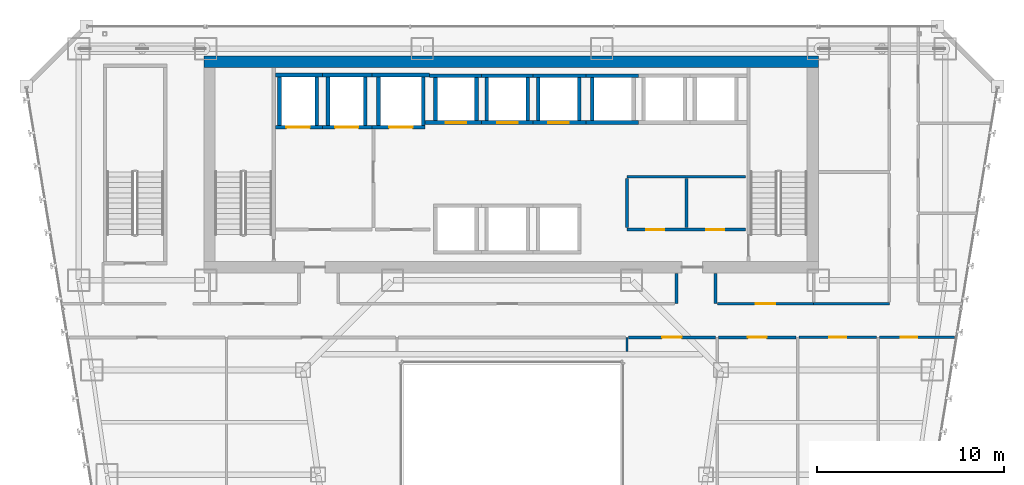
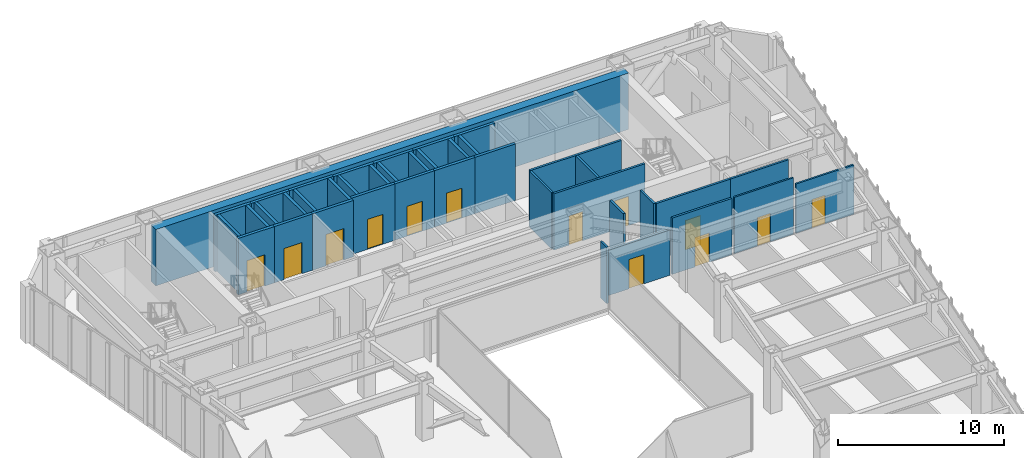
# One storey, part 37 of 47: 41 walls, 13 doors, 13 openings.
"""IFC4 building model written with IfcOpenShell, lengths in metres."""

from ifc_helpers import new_model, si_unit, direction, frame, frame_2d, origin, place, context, subcontext, project, spatial, rectangle, extrude, material, layer, layer_set, type_object, element, fill, save


model = new_model("IFC4")

# Units and contexts
model_context = context("Model", 3, precision=1e-05, world=origin(), true_north=direction((0.0, 1.0)))
body_context = subcontext(model_context, "Body", "Model", "MODEL_VIEW")
ifc_project = project(units=[si_unit("LENGTHUNIT", "METRE"), si_unit("AREAUNIT", "SQUARE_METRE"), si_unit("VOLUMEUNIT", "CUBIC_METRE"), si_unit("PLANEANGLEUNIT", "RADIAN"), si_unit("MASSUNIT", "GRAM", prefix="KILO")], contexts=[model_context])

# Site, building, storey
site_placement = place(None, origin())
site = spatial("IfcSite", under=ifc_project, at=site_placement, CompositionType="ELEMENT")
building_placement = place(site_placement, origin())
building = spatial("IfcBuilding", under=site, at=building_placement, Name="Saevonmaru Cultural Tower", CompositionType="ELEMENT")
storey_placement = place(building_placement, frame((0.0, 0.0, 64.800048828125)))
storey = spatial("IfcBuildingStorey", under=building, at=storey_placement, Name="L13", CompositionType="ELEMENT", Elevation=64.800048828125)

# Wall
ifc_material_1 = material(Name="Concrete C60/75", Category="concrete")
ifc_layer_1 = layer(ifc_material_1, 0.60009765625, Name="Concrete C60/75")
ifc_layer_set_1 = layer_set([ifc_layer_1], Name="Concrete C60/75")
wall_type_1 = type_object("IfcWallType", Name="WL-CORE-600", PredefinedType="SHEAR", material=ifc_layer_set_1)
wall_1_placement = place(storey_placement, frame((13.5, 54.10009765625, 0.0), z_axis=(0.0, 0.0, 1.0), x_axis=(1.0, 0.0, 0.0)))
element("IfcWall", 1, at=wall_1_placement, inside=storey, type_object=wall_type_1, Name="L13 Tower RC core shear wall N", PredefinedType="SHEAR", context=body_context, shape_type="SweptSolid", body=[
    extrude(rectangle(XDim=32.89990234375, YDim=0.60009765625, at=frame_2d((16.449951171875, 0.0))), origin(), (0.0, 0.0, 1.0), 4.14990234375),
])

# Wall, openings, doors
ifc_material_2 = material(Name="Gypsum Fireboard Partition", Category="gypsum")
ifc_layer_2 = layer(ifc_material_2, 0.14990234375, Name="Gypsum Fireboard Partition")
ifc_layer_set_2 = layer_set([ifc_layer_2], Name="Gypsum Fireboard Partition")
wall_type_2 = type_object("IfcWallType", Name="WL-CORE-PART-150", PredefinedType="PARTITIONING", material=ifc_layer_set_2)
wall_2_placement = place(storey_placement, frame((36.14990234375, 45.1201171875, 0.0), z_axis=(0.0, 0.0, 1.0), x_axis=(1.0, 0.0, 0.0)))
wall_2 = element("IfcWall", 2, at=wall_2_placement, inside=storey, type_object=wall_type_2, Name="L13 Core Cluster South Wall", PredefinedType="PARTITIONING", context=body_context, shape_type="SweptSolid", body=[
    extrude(rectangle(XDim=6.35009765625, YDim=0.14990234375, at=frame_2d((3.175048828125, 0.0))), origin(), (0.0, 0.0, 1.0), 4.14990234375),
])
opening_1_placement = place(wall_2_placement, frame((1.050048828125, 0.0, 0.0)))
opening_1 = element("IfcOpeningElement", 3, at=opening_1_placement, cuts=wall_2, Name="Opening FD-4", PredefinedType="OPENING", context=body_context, shape_type="SweptSolid", body=[
    extrude(rectangle(XDim=0.949951171875, YDim=2.14990234375, at=frame_2d((0.47509765625, 1.074951171875))), frame((0.0, 0.0849609375, 0.0), z_axis=(0.0, -1.0, 0.0), x_axis=(1.0, 0.0, 0.0)), (0.0, 0.0, 1.0), 0.169921875),
])
opening_2_placement = place(wall_2_placement, frame((4.25, 0.0, 0.0)))
opening_2 = element("IfcOpeningElement", 4, at=opening_2_placement, cuts=wall_2, Name="Opening FD-4", PredefinedType="OPENING", context=body_context, shape_type="SweptSolid", body=[
    extrude(rectangle(XDim=0.949951171875, YDim=2.14990234375, at=frame_2d((0.47509765625, 1.074951171875))), frame((0.0, 0.0849609375, 0.0), z_axis=(0.0, -1.0, 0.0), x_axis=(1.0, 0.0, 0.0)), (0.0, 0.0, 1.0), 0.169921875),
])
ifc_material_3 = material(Name="Satin Bronze Anodised Aluminium", Category="aluminium")
door_type_1 = type_object("IfcDoorType", Name="DR-FD60-950", OperationType="SINGLE_SWING_LEFT", PredefinedType="DOOR", material=ifc_material_3)
door_1_placement = place(opening_1_placement, origin())
door_1 = element("IfcDoor", 5, at=door_1_placement, inside=storey, type_object=door_type_1, Name="L13 BMS Control Room Door", OperationType="SINGLE_SWING_LEFT", OverallHeight=2.14990234375, OverallWidth=0.949951171875, PredefinedType="DOOR", context=body_context, shape_type="SweptSolid", body=[
    extrude(rectangle(XDim=0.949951171875, YDim=2.14990234375, at=frame_2d((0.47509765625, 1.074951171875))), frame((0.0, 0.02490234375, 0.0), z_axis=(0.0, -1.0, 0.0), x_axis=(1.0, 0.0, 0.0)), (0.0, 0.0, 1.0), 0.050048828125),
])
fill(opening_1, door_1)
door_2_placement = place(opening_2_placement, origin())
door_2 = element("IfcDoor", 6, at=door_2_placement, inside=storey, type_object=door_type_1, Name="L13 Fibre Node Plant Door", OperationType="SINGLE_SWING_LEFT", OverallHeight=2.14990234375, OverallWidth=0.949951171875, PredefinedType="DOOR", context=body_context, shape_type="SweptSolid", body=[
    extrude(rectangle(XDim=0.949951171875, YDim=2.14990234375, at=frame_2d((0.47509765625, 1.074951171875))), frame((0.0, 0.02490234375, 0.0), z_axis=(0.0, -1.0, 0.0), x_axis=(1.0, 0.0, 0.0)), (0.0, 0.0, 1.0), 0.050048828125),
])
fill(opening_2, door_2)

# Walls
wall_3_placement = place(storey_placement, frame((36.14990234375, 47.949951171875, 0.0), z_axis=(0.0, 0.0, 1.0), x_axis=(1.0, 0.0, 0.0)))
element("IfcWall", 7, at=wall_3_placement, inside=storey, type_object=wall_type_2, Name="L13 Core Cluster North Wall", PredefinedType="PARTITIONING", context=body_context, shape_type="SweptSolid", body=[
    extrude(rectangle(XDim=6.35009765625, YDim=0.14990234375, at=frame_2d((3.175048828125, 0.0))), origin(), (0.0, 0.0, 1.0), 4.14990234375),
])
for number, where, z_axis, x_axis, name in (
    (8, (36.14990234375, 45.219970703125, 0.0), (0.0, 0.0, 1.0), (0.0, 1.0, 0.0), "L13 Core Cluster West Wall"),
    (9, (39.35009765625, 45.219970703125, 0.0), (0.0, 0.0, 1.0), (0.0, 1.0, 0.0), "L13 Core Cluster Inner Split"),
):
    element("IfcWall", number, at=place(storey_placement, frame(where, z_axis=z_axis, x_axis=x_axis)), inside=storey, type_object=wall_type_2, Name=name, PredefinedType="PARTITIONING", context=body_context, shape_type="SweptSolid", body=[
        extrude(rectangle(XDim=2.630126953125, YDim=0.14990234375, at=frame_2d((1.31494140625, 0.0))), origin(), (0.0, 0.0, 1.0), 4.14990234375),
    ])
ifc_layer_3 = layer(ifc_material_2, 0.14990234375, Name="Gypsum Fireboard Partition")
ifc_layer_set_3 = layer_set([ifc_layer_3], Name="Gypsum Fireboard Partition")
wall_type_3 = type_object("IfcWallType", Name="WL-PART-FIRE-150", PredefinedType="PARTITIONING", material=ifc_layer_set_3)
for number, where, z_axis, x_axis, name in (
    (10, (38.800048828125, 41.14990234375, 0.0), (0.0, 0.0, 1.0), (0.0, 1.0, 0.0), "L13 Core Portal Side Wall E1"),
    (11, (40.89990234375, 41.14990234375, 0.0), (0.0, 0.0, 1.0), (0.0, 1.0, 0.0), "L13 Core Portal Side Wall E2"),
):
    element("IfcWall", number, at=place(storey_placement, frame(where, z_axis=z_axis, x_axis=x_axis)), inside=storey, type_object=wall_type_3, Name=name, PredefinedType="PARTITIONING", context=body_context, shape_type="SweptSolid", body=[
        extrude(rectangle(XDim=1.630126953125, YDim=0.14990234375, at=frame_2d((0.81494140625, 0.0))), origin(), (0.0, 0.0, 1.0), 4.14990234375),
    ])

# Wall, opening, door
wall_4_placement = place(storey_placement, frame((40.9951171875, 41.14990234375, 0.0), z_axis=(0.0, 0.0, 1.0), x_axis=(1.0, 0.0, 0.0)))
wall_4 = element("IfcWall", 12, at=wall_4_placement, inside=storey, type_object=wall_type_3, Name="L13 Kinetic Art Exhibition Gallery Corridor Wall", PredefinedType="PARTITIONING", context=body_context, shape_type="SweptSolid", body=[
    extrude(rectangle(XDim=5.15478515625, YDim=0.14990234375, at=frame_2d((2.577392578125, 0.0))), origin(), (0.0, 0.0, 1.0), 4.14990234375),
])
opening_3_placement = place(wall_4_placement, frame((2.052978515625, 0.0, 0.0)))
opening_3 = element("IfcOpeningElement", 13, at=opening_3_placement, cuts=wall_4, Name="Opening ID-1", PredefinedType="OPENING", context=body_context, shape_type="SweptSolid", body=[
    extrude(rectangle(XDim=1.050048828125, YDim=2.14990234375, at=frame_2d((0.52490234375, 1.074951171875))), frame((0.0, 0.0849609375, 0.0), z_axis=(0.0, -1.0, 0.0), x_axis=(1.0, 0.0, 0.0)), (0.0, 0.0, 1.0), 0.169921875),
])
door_type_2 = type_object("IfcDoorType", Name="DR-INT-1050", OperationType="SINGLE_SWING_LEFT", PredefinedType="DOOR", material=ifc_material_3)
door_3_placement = place(opening_3_placement, origin())
door_3 = element("IfcDoor", 14, at=door_3_placement, inside=storey, type_object=door_type_2, Name="L13 Kinetic Art Exhibition Gallery Door", OperationType="SINGLE_SWING_LEFT", OverallHeight=2.14990234375, OverallWidth=1.050048828125, PredefinedType="DOOR", context=body_context, shape_type="SweptSolid", body=[
    extrude(rectangle(XDim=1.050048828125, YDim=2.14990234375, at=frame_2d((0.52490234375, 1.074951171875))), frame((0.0, 0.02490234375, 0.0), z_axis=(0.0, -1.0, 0.0), x_axis=(1.0, 0.0, 0.0)), (0.0, 0.0, 1.0), 0.050048828125),
])
fill(opening_3, door_3)

wall_5_placement = place(storey_placement, frame((36.22998046875, 39.35009765625, 0.0), z_axis=(0.0, 0.0, 1.0), x_axis=(1.0, 0.0, 0.0)))
wall_5 = element("IfcWall", 15, at=wall_5_placement, inside=storey, type_object=wall_type_3, Name="L13 Kinetic Art Exhibition Gallery Corridor Wall", PredefinedType="PARTITIONING", context=body_context, shape_type="SweptSolid", body=[
    extrude(rectangle(XDim=4.66259765625, YDim=0.14990234375, at=frame_2d((2.331298828125, 0.0))), origin(), (0.0, 0.0, 1.0), 3.3349609375),
])
opening_4_placement = place(wall_5_placement, frame((1.805908203125, 0.0, 0.0)))
opening_4 = element("IfcOpeningElement", 16, at=opening_4_placement, cuts=wall_5, Name="Opening ID-1", PredefinedType="OPENING", context=body_context, shape_type="SweptSolid", body=[
    extrude(rectangle(XDim=1.050048828125, YDim=2.14990234375, at=frame_2d((0.52490234375, 1.074951171875))), frame((0.0, 0.0849609375, 0.0), z_axis=(0.0, -1.0, 0.0), x_axis=(1.0, 0.0, 0.0)), (0.0, 0.0, 1.0), 0.169921875),
])
door_4_placement = place(opening_4_placement, origin())
door_4 = element("IfcDoor", 17, at=door_4_placement, inside=storey, type_object=door_type_2, Name="L13 Kinetic Art Exhibition Gallery Door", OperationType="SINGLE_SWING_RIGHT", OverallHeight=2.14990234375, OverallWidth=1.050048828125, PredefinedType="DOOR", context=body_context, shape_type="SweptSolid", body=[
    extrude(rectangle(XDim=1.050048828125, YDim=2.14990234375, at=frame_2d((0.52490234375, 1.074951171875))), frame((0.0, 0.02490234375, 0.0), z_axis=(0.0, -1.0, 0.0), x_axis=(1.0, 0.0, 0.0)), (0.0, 0.0, 1.0), 0.050048828125),
])
fill(opening_4, door_4)

wall_6_placement = place(storey_placement, frame((41.0673828125, 39.35009765625, 0.0), z_axis=(0.0, 0.0, 1.0), x_axis=(1.0, 0.0, 0.0)))
wall_6 = element("IfcWall", 18, at=wall_6_placement, inside=storey, type_object=wall_type_3, Name="L13 Chamber Rehearsal Auditorium Corridor Wall", PredefinedType="PARTITIONING", context=body_context, shape_type="SweptSolid", body=[
    extrude(rectangle(XDim=4.135009765625, YDim=0.14990234375, at=frame_2d((2.0673828125, 0.0))), origin(), (0.0, 0.0, 1.0), 4.14990234375),
])
opening_5_placement = place(wall_6_placement, frame((1.56689453125, 0.0, 0.0)))
opening_5 = element("IfcOpeningElement", 19, at=opening_5_placement, cuts=wall_6, Name="Opening ID-1B", PredefinedType="OPENING", context=body_context, shape_type="SweptSolid", body=[
    extrude(rectangle(XDim=1.0, YDim=2.14990234375, at=frame_2d((0.5, 1.074951171875))), frame((0.0, 0.0849609375, 0.0), z_axis=(0.0, -1.0, 0.0), x_axis=(1.0, 0.0, 0.0)), (0.0, 0.0, 1.0), 0.169921875),
])
ifc_material_4 = material(Name="Acoustic Stained Oak Timber", Category="wood")
door_type_3 = type_object("IfcDoorType", Name="DR-INT-1000", OperationType="SINGLE_SWING_RIGHT", PredefinedType="DOOR", material=ifc_material_4)
door_5_placement = place(opening_5_placement, origin())
door_5 = element("IfcDoor", 20, at=door_5_placement, inside=storey, type_object=door_type_3, Name="L13 Chamber Rehearsal Auditorium Door", OperationType="SINGLE_SWING_LEFT", OverallHeight=2.14990234375, OverallWidth=1.0, PredefinedType="DOOR", context=body_context, shape_type="SweptSolid", body=[
    extrude(rectangle(XDim=1.0, YDim=2.14990234375, at=frame_2d((0.5, 1.074951171875))), frame((0.0, 0.02490234375, 0.0), z_axis=(0.0, -1.0, 0.0), x_axis=(1.0, 0.0, 0.0)), (0.0, 0.0, 1.0), 0.050048828125),
])
fill(opening_5, door_5)

# Wall
ifc_layer_4 = layer(ifc_material_2, 0.1201171875, Name="Gypsum Fireboard Partition")
ifc_layer_set_4 = layer_set([ifc_layer_4], Name="Gypsum Fireboard Partition")
wall_type_4 = type_object("IfcWallType", Name="WL-PART-GYP-120", PredefinedType="PARTITIONING", material=ifc_layer_set_4)
wall_7_placement = place(storey_placement, frame((36.14990234375, 38.60009765625, 0.0), z_axis=(0.0, 0.0, 1.0), x_axis=(0.0, 1.0, 0.0)))
element("IfcWall", 21, at=wall_7_placement, inside=storey, type_object=wall_type_4, Name="L13 North Atrium East Wall", PredefinedType="PARTITIONING", context=body_context, shape_type="SweptSolid", body=[
    extrude(rectangle(XDim=0.75, YDim=0.1201171875, at=frame_2d((0.375, 0.0))), origin(), (0.0, 0.0, 1.0), 4.14990234375),
])

# Wall, opening, door
wall_8_placement = place(storey_placement, frame((45.37744140625, 39.35009765625, 0.0), z_axis=(0.0, 0.0, 1.0), x_axis=(1.0, 0.0, 0.0)))
wall_8 = element("IfcWall", 22, at=wall_8_placement, inside=storey, type_object=wall_type_4, Name="L13 Urban Design Meeting Room Corridor Wall", PredefinedType="PARTITIONING", context=body_context, shape_type="SweptSolid", body=[
    extrude(rectangle(XDim=4.135009765625, YDim=0.1201171875, at=frame_2d((2.0673828125, 0.0))), origin(), (0.0, 0.0, 1.0), 4.14990234375),
])
opening_6_placement = place(wall_8_placement, frame((1.617919921875, 0.0, 0.0)))
opening_6 = element("IfcOpeningElement", 23, at=opening_6_placement, cuts=wall_8, Name="Opening ID-2", PredefinedType="OPENING", context=body_context, shape_type="SweptSolid", body=[
    extrude(rectangle(XDim=0.89990234375, YDim=2.10009765625, at=frame_2d((0.449951171875, 1.050048828125))), frame((0.0, 0.070068359375, 0.0), z_axis=(0.0, -1.0, 0.0), x_axis=(1.0, 0.0, 0.0)), (0.0, 0.0, 1.0), 0.14013671875),
])
door_type_4 = type_object("IfcDoorType", Name="DR-INT-900", OperationType="SINGLE_SWING_RIGHT", PredefinedType="DOOR", material=ifc_material_4)
door_6_placement = place(opening_6_placement, origin())
door_6 = element("IfcDoor", 24, at=door_6_placement, inside=storey, type_object=door_type_4, Name="L13 Urban Design Meeting Room Door", OperationType="SINGLE_SWING_RIGHT", OverallHeight=2.10009765625, OverallWidth=0.89990234375, PredefinedType="DOOR", context=body_context, shape_type="SweptSolid", body=[
    extrude(rectangle(XDim=0.89990234375, YDim=2.10009765625, at=frame_2d((0.449951171875, 1.050048828125))), frame((0.0, 0.02490234375, 0.0), z_axis=(0.0, -1.0, 0.0), x_axis=(1.0, 0.0, 0.0)), (0.0, 0.0, 1.0), 0.050048828125),
])
fill(opening_6, door_6)

wall_9_placement = place(storey_placement, frame((49.6875, 39.35009765625, 0.0), z_axis=(0.0, 0.0, 1.0), x_axis=(1.0, 0.0, 0.0)))
wall_9 = element("IfcWall", 25, at=wall_9_placement, inside=storey, type_object=wall_type_4, Name="L13 Calligraphy Teaching Studio Corridor Wall", PredefinedType="PARTITIONING", context=body_context, shape_type="SweptSolid", body=[
    extrude(rectangle(XDim=4.007568359375, YDim=0.1201171875, at=frame_2d((2.00390625, 0.0))), origin(), (0.0, 0.0, 1.0), 3.635009765625),
])
opening_7_placement = place(wall_9_placement, frame((1.114013671875, 0.0, 0.0)))
opening_7 = element("IfcOpeningElement", 26, at=opening_7_placement, cuts=wall_9, Name="Opening ID-2", PredefinedType="OPENING", context=body_context, shape_type="SweptSolid", body=[
    extrude(rectangle(XDim=0.89990234375, YDim=2.10009765625, at=frame_2d((0.449951171875, 1.050048828125))), frame((0.0, 0.070068359375, 0.0), z_axis=(0.0, -1.0, 0.0), x_axis=(1.0, 0.0, 0.0)), (0.0, 0.0, 1.0), 0.14013671875),
])
door_7_placement = place(opening_7_placement, origin())
door_7 = element("IfcDoor", 27, at=door_7_placement, inside=storey, type_object=door_type_4, Name="L13 Calligraphy Teaching Studio Door", OperationType="SINGLE_SWING_LEFT", OverallHeight=2.10009765625, OverallWidth=0.89990234375, PredefinedType="DOOR", context=body_context, shape_type="SweptSolid", body=[
    extrude(rectangle(XDim=0.89990234375, YDim=2.10009765625, at=frame_2d((0.449951171875, 1.050048828125))), frame((0.0, 0.02490234375, 0.0), z_axis=(0.0, -1.0, 0.0), x_axis=(1.0, 0.0, 0.0)), (0.0, 0.0, 1.0), 0.050048828125),
])
fill(opening_7, door_7)

# Wall
ifc_layer_5 = layer(ifc_material_2, 0.139892578125, Name="Gypsum Fireboard Partition")
ifc_layer_set_5 = layer_set([ifc_layer_5], Name="Gypsum Fireboard Partition")
wall_type_5 = type_object("IfcWallType", Name="WL-PART-WET-140", PredefinedType="PARTITIONING", material=ifc_layer_set_5)
wall_10_placement = place(storey_placement, frame((46.14990234375, 41.14990234375, 0.0), z_axis=(0.0, 0.0, 1.0), x_axis=(1.0, 0.0, 0.0)))
element("IfcWall", 28, at=wall_10_placement, inside=storey, type_object=wall_type_5, Name="L13 Washroom South Wall", PredefinedType="PARTITIONING", context=body_context, shape_type="SweptSolid", body=[
    extrude(rectangle(XDim=4.050048828125, YDim=0.139892578125, at=frame_2d((2.02490234375, 0.0))), origin(), (0.0, 0.0, 1.0), 4.14990234375),
])

# Wall, opening, door
ifc_material_5 = material(Name="Concrete C40/50", Category="concrete")
ifc_layer_6 = layer(ifc_material_5, 0.199951171875, Name="Concrete C40/50")
ifc_layer_set_6 = layer_set([ifc_layer_6], Name="Concrete C40/50")
wall_type_6 = type_object("IfcWallType", Name="WL-SHAFT-200", PredefinedType="SHEAR", material=ifc_layer_set_6)
wall_11_placement = place(storey_placement, frame((17.330078125, 50.60009765625, 0.0), z_axis=(0.0, 0.0, 1.0), x_axis=(1.0, 0.0, 0.0)))
wall_11 = element("IfcWall", 29, at=wall_11_placement, inside=storey, type_object=wall_type_6, Name="L13 Lift FFL-1 Hoistway Wall S", PredefinedType="SHEAR", context=body_context, shape_type="SweptSolid", body=[
    extrude(rectangle(XDim=2.52001953125, YDim=0.199951171875, at=frame_2d((1.260009765625, 0.0))), origin(), (0.0, 0.0, 1.0), 4.14990234375),
])
opening_8_placement = place(wall_11_placement, frame((0.594970703125, 0.0, 0.0)))
opening_8 = element("IfcOpeningElement", 30, at=opening_8_placement, cuts=wall_11, Name="Opening LD-2", PredefinedType="OPENING", context=body_context, shape_type="SweptSolid", body=[
    extrude(rectangle(XDim=1.25, YDim=2.300048828125, at=frame_2d((0.625, 1.14990234375))), frame((0.0, 0.10986328125, 0.0), z_axis=(0.0, -1.0, 0.0), x_axis=(1.0, 0.0, 0.0)), (0.0, 0.0, 1.0), 0.219970703125),
])
ifc_material_6 = material(Name="Stainless Steel 316", Category="steel")
door_type_5 = type_object("IfcDoorType", Name="DR-LIFT-1250", OperationType="SLIDING_TO_LEFT", PredefinedType="DOOR", material=ifc_material_6)
door_8_placement = place(opening_8_placement, origin())
door_8 = element("IfcDoor", 31, at=door_8_placement, inside=storey, type_object=door_type_5, Name="L13 Lift FFL-1 Sliding Landing Door", OperationType="SLIDING_TO_LEFT", OverallHeight=2.300048828125, OverallWidth=1.25, PredefinedType="DOOR", context=body_context, shape_type="SweptSolid", body=[
    extrude(rectangle(XDim=1.25, YDim=2.300048828125, at=frame_2d((0.625, 1.14990234375))), frame((0.0, 0.02490234375, 0.0), z_axis=(0.0, -1.0, 0.0), x_axis=(1.0, 0.0, 0.0)), (0.0, 0.0, 1.0), 0.050048828125),
])
fill(opening_8, door_8)

# Walls
wall_12_placement = place(storey_placement, frame((17.330078125, 53.39990234375, 0.0), z_axis=(0.0, 0.0, 1.0), x_axis=(1.0, 0.0, 0.0)))
element("IfcWall", 32, at=wall_12_placement, inside=storey, type_object=wall_type_6, Name="L13 Lift FFL-1 Hoistway Wall N", PredefinedType="SHEAR", context=body_context, shape_type="SweptSolid", body=[
    extrude(rectangle(XDim=2.52001953125, YDim=0.199951171875, at=frame_2d((1.260009765625, 0.0))), origin(), (0.0, 0.0, 1.0), 4.14990234375),
])
for number, where, z_axis, x_axis, name in (
    (33, (17.550048828125, 50.699951171875, 0.0), (0.0, 0.0, 1.0), (0.0, 1.0, 0.0), "L13 Lift FFL-1 Hoistway Wall W"),
    (34, (19.550048828125, 50.699951171875, 0.0), (0.0, 0.0, 1.0), (0.0, 1.0, 0.0), "L13 Lift FFL-1 Hoistway Wall E"),
):
    element("IfcWall", number, at=place(storey_placement, frame(where, z_axis=z_axis, x_axis=x_axis)), inside=storey, type_object=wall_type_6, Name=name, PredefinedType="SHEAR", context=body_context, shape_type="SweptSolid", body=[
        extrude(rectangle(XDim=2.60009765625, YDim=0.199951171875, at=frame_2d((1.300048828125, 0.0))), origin(), (0.0, 0.0, 1.0), 4.14990234375),
    ])

# Wall, opening, door
wall_13_placement = place(storey_placement, frame((19.85009765625, 50.60009765625, 0.0), z_axis=(0.0, 0.0, 1.0), x_axis=(1.0, 0.0, 0.0)))
wall_13 = element("IfcWall", 35, at=wall_13_placement, inside=storey, type_object=wall_type_6, Name="L13 Lift FFL-2 Hoistway Wall S", PredefinedType="SHEAR", context=body_context, shape_type="SweptSolid", body=[
    extrude(rectangle(XDim=2.64990234375, YDim=0.199951171875, at=frame_2d((1.324951171875, 0.0))), origin(), (0.0, 0.0, 1.0), 4.14990234375),
])
opening_9_placement = place(wall_13_placement, frame((0.675048828125, 0.0, 0.0)))
opening_9 = element("IfcOpeningElement", 36, at=opening_9_placement, cuts=wall_13, Name="Opening LD-2", PredefinedType="OPENING", context=body_context, shape_type="SweptSolid", body=[
    extrude(rectangle(XDim=1.25, YDim=2.300048828125, at=frame_2d((0.625, 1.14990234375))), frame((0.0, 0.10986328125, 0.0), z_axis=(0.0, -1.0, 0.0), x_axis=(1.0, 0.0, 0.0)), (0.0, 0.0, 1.0), 0.219970703125),
])
door_9_placement = place(opening_9_placement, origin())
door_9 = element("IfcDoor", 37, at=door_9_placement, inside=storey, type_object=door_type_5, Name="L13 Lift FFL-2 Sliding Landing Door", OperationType="SLIDING_TO_LEFT", OverallHeight=2.300048828125, OverallWidth=1.25, PredefinedType="DOOR", context=body_context, shape_type="SweptSolid", body=[
    extrude(rectangle(XDim=1.25, YDim=2.300048828125, at=frame_2d((0.625, 1.14990234375))), frame((0.0, 0.02490234375, 0.0), z_axis=(0.0, -1.0, 0.0), x_axis=(1.0, 0.0, 0.0)), (0.0, 0.0, 1.0), 0.050048828125),
])
fill(opening_9, door_9)

# Walls
wall_14_placement = place(storey_placement, frame((19.85009765625, 53.39990234375, 0.0), z_axis=(0.0, 0.0, 1.0), x_axis=(1.0, 0.0, 0.0)))
element("IfcWall", 38, at=wall_14_placement, inside=storey, type_object=wall_type_6, Name="L13 Lift FFL-2 Hoistway Wall N", PredefinedType="SHEAR", context=body_context, shape_type="SweptSolid", body=[
    extrude(rectangle(XDim=2.64990234375, YDim=0.199951171875, at=frame_2d((1.324951171875, 0.0))), origin(), (0.0, 0.0, 1.0), 4.14990234375),
])
for number, where, z_axis, x_axis, name in (
    (39, (20.14990234375, 50.699951171875, 0.0), (0.0, 0.0, 1.0), (0.0, 1.0, 0.0), "L13 Lift FFL-2 Hoistway Wall W"),
    (40, (22.14990234375, 50.699951171875, 0.0), (0.0, 0.0, 1.0), (0.0, 1.0, 0.0), "L13 Lift FFL-2 Hoistway Wall E"),
):
    element("IfcWall", number, at=place(storey_placement, frame(where, z_axis=z_axis, x_axis=x_axis)), inside=storey, type_object=wall_type_6, Name=name, PredefinedType="SHEAR", context=body_context, shape_type="SweptSolid", body=[
        extrude(rectangle(XDim=2.60009765625, YDim=0.199951171875, at=frame_2d((1.300048828125, 0.0))), origin(), (0.0, 0.0, 1.0), 4.14990234375),
    ])

# Wall, opening, door
wall_15_placement = place(storey_placement, frame((22.5, 50.60009765625, 0.0), z_axis=(0.0, 0.0, 1.0), x_axis=(1.0, 0.0, 0.0)))
wall_15 = element("IfcWall", 41, at=wall_15_placement, inside=storey, type_object=wall_type_6, Name="L13 Lift GL-1 Hoistway Wall S", PredefinedType="SHEAR", context=body_context, shape_type="SweptSolid", body=[
    extrude(rectangle(XDim=2.85009765625, YDim=0.199951171875, at=frame_2d((1.425048828125, 0.0))), origin(), (0.0, 0.0, 1.0), 4.14990234375),
])
opening_10_placement = place(wall_15_placement, frame((0.925048828125, 0.0, 0.0)))
opening_10 = element("IfcOpeningElement", 42, at=opening_10_placement, cuts=wall_15, Name="Opening LD-2", PredefinedType="OPENING", context=body_context, shape_type="SweptSolid", body=[
    extrude(rectangle(XDim=1.25, YDim=2.300048828125, at=frame_2d((0.625, 1.14990234375))), frame((0.0, 0.10986328125, 0.0), z_axis=(0.0, -1.0, 0.0), x_axis=(1.0, 0.0, 0.0)), (0.0, 0.0, 1.0), 0.219970703125),
])
door_10_placement = place(opening_10_placement, origin())
door_10 = element("IfcDoor", 43, at=door_10_placement, inside=storey, type_object=door_type_5, Name="L13 Lift GL-1 Sliding Landing Door", OperationType="SLIDING_TO_LEFT", OverallHeight=2.300048828125, OverallWidth=1.25, PredefinedType="DOOR", context=body_context, shape_type="SweptSolid", body=[
    extrude(rectangle(XDim=1.25, YDim=2.300048828125, at=frame_2d((0.625, 1.14990234375))), frame((0.0, 0.02490234375, 0.0), z_axis=(0.0, -1.0, 0.0), x_axis=(1.0, 0.0, 0.0)), (0.0, 0.0, 1.0), 0.050048828125),
])
fill(opening_10, door_10)

# Walls
wall_16_placement = place(storey_placement, frame((22.5, 53.39990234375, 0.0), z_axis=(0.0, 0.0, 1.0), x_axis=(1.0, 0.0, 0.0)))
element("IfcWall", 44, at=wall_16_placement, inside=storey, type_object=wall_type_6, Name="L13 Lift GL-1 Hoistway Wall N", PredefinedType="SHEAR", context=body_context, shape_type="SweptSolid", body=[
    extrude(rectangle(XDim=3.074951171875, YDim=0.199951171875, at=frame_2d((1.53759765625, 0.0))), origin(), (0.0, 0.0, 1.0), 4.14990234375),
])
for number, where, z_axis, x_axis, name in (
    (45, (22.85009765625, 50.699951171875, 0.0), (0.0, 0.0, 1.0), (0.0, 1.0, 0.0), "L13 Lift GL-1 Hoistway Wall W"),
    (46, (25.25, 50.699951171875, 0.0), (0.0, 0.0, 1.0), (0.0, 1.0, 0.0), "L13 Lift GL-1 Hoistway Wall E"),
):
    element("IfcWall", number, at=place(storey_placement, frame(where, z_axis=z_axis, x_axis=x_axis)), inside=storey, type_object=wall_type_6, Name=name, PredefinedType="SHEAR", context=body_context, shape_type="SweptSolid", body=[
        extrude(rectangle(XDim=2.60009765625, YDim=0.199951171875, at=frame_2d((1.300048828125, 0.0))), origin(), (0.0, 0.0, 1.0), 4.14990234375),
    ])

# Wall, opening, door
wall_17_placement = place(storey_placement, frame((25.35009765625, 50.85009765625, 0.0), z_axis=(0.0, 0.0, 1.0), x_axis=(1.0, 0.0, 0.0)))
wall_17 = element("IfcWall", 47, at=wall_17_placement, inside=storey, type_object=wall_type_6, Name="L13 Lift PL-L1 Hoistway Wall S", PredefinedType="SHEAR", context=body_context, shape_type="SweptSolid", body=[
    extrude(rectangle(XDim=3.02490234375, YDim=0.199951171875, at=frame_2d((1.512451171875, 0.0))), origin(), (0.0, 0.0, 1.0), 4.14990234375),
])
opening_11_placement = place(wall_17_placement, frame((1.10009765625, 0.0, 0.0)))
opening_11 = element("IfcOpeningElement", 48, at=opening_11_placement, cuts=wall_17, Name="Opening LD-1", PredefinedType="OPENING", context=body_context, shape_type="SweptSolid", body=[
    extrude(rectangle(XDim=1.10009765625, YDim=2.199951171875, at=frame_2d((0.550048828125, 1.10009765625))), frame((0.0, 0.10986328125, 0.0), z_axis=(0.0, -1.0, 0.0), x_axis=(1.0, 0.0, 0.0)), (0.0, 0.0, 1.0), 0.219970703125),
])
ifc_material_7 = material(Name="Satin Bronze Stainless Steel", Category="steel")
door_type_6 = type_object("IfcDoorType", Name="DR-LIFT-1100", OperationType="SLIDING_TO_LEFT", PredefinedType="DOOR", material=ifc_material_7)
door_11_placement = place(opening_11_placement, origin())
door_11 = element("IfcDoor", 49, at=door_11_placement, inside=storey, type_object=door_type_6, Name="L13 Lift PL-L1 Sliding Landing Door", OperationType="SLIDING_TO_LEFT", OverallHeight=2.199951171875, OverallWidth=1.10009765625, PredefinedType="DOOR", context=body_context, shape_type="SweptSolid", body=[
    extrude(rectangle(XDim=1.10009765625, YDim=2.199951171875, at=frame_2d((0.550048828125, 1.10009765625))), frame((0.0, 0.02490234375, 0.0), z_axis=(0.0, -1.0, 0.0), x_axis=(1.0, 0.0, 0.0)), (0.0, 0.0, 1.0), 0.050048828125),
])
fill(opening_11, door_11)

# Walls
wall_18_placement = place(storey_placement, frame((25.574951171875, 53.35009765625, 0.0), z_axis=(0.0, 0.0, 1.0), x_axis=(1.0, 0.0, 0.0)))
element("IfcWall", 50, at=wall_18_placement, inside=storey, type_object=wall_type_6, Name="L13 Lift PL-L1 Hoistway Wall N", PredefinedType="SHEAR", context=body_context, shape_type="SweptSolid", body=[
    extrude(rectangle(XDim=2.800048828125, YDim=0.199951171875, at=frame_2d((1.39990234375, 0.0))), origin(), (0.0, 0.0, 1.0), 4.14990234375),
])
for number, where, z_axis, x_axis, name in (
    (51, (25.89990234375, 50.949951171875, 0.0), (0.0, 0.0, 1.0), (0.0, 1.0, 0.0), "L13 Lift PL-L1 Hoistway Wall W"),
    (52, (28.10009765625, 50.949951171875, 0.0), (0.0, 0.0, 1.0), (0.0, 1.0, 0.0), "L13 Lift PL-L1 Hoistway Wall E"),
):
    element("IfcWall", number, at=place(storey_placement, frame(where, z_axis=z_axis, x_axis=x_axis)), inside=storey, type_object=wall_type_6, Name=name, PredefinedType="SHEAR", context=body_context, shape_type="SweptSolid", body=[
        extrude(rectangle(XDim=2.300048828125, YDim=0.199951171875, at=frame_2d((1.14990234375, 0.0))), origin(), (0.0, 0.0, 1.0), 4.14990234375),
    ])

# Wall, opening, door
wall_19_placement = place(storey_placement, frame((28.375, 50.85009765625, 0.0), z_axis=(0.0, 0.0, 1.0), x_axis=(1.0, 0.0, 0.0)))
wall_19 = element("IfcWall", 53, at=wall_19_placement, inside=storey, type_object=wall_type_6, Name="L13 Lift PL-L2 Hoistway Wall S", PredefinedType="SHEAR", context=body_context, shape_type="SweptSolid", body=[
    extrude(rectangle(XDim=2.75, YDim=0.199951171875, at=frame_2d((1.375, 0.0))), origin(), (0.0, 0.0, 1.0), 4.14990234375),
])
opening_12_placement = place(wall_19_placement, frame((0.824951171875, 0.0, 0.0)))
opening_12 = element("IfcOpeningElement", 54, at=opening_12_placement, cuts=wall_19, Name="Opening LD-1", PredefinedType="OPENING", context=body_context, shape_type="SweptSolid", body=[
    extrude(rectangle(XDim=1.10009765625, YDim=2.199951171875, at=frame_2d((0.550048828125, 1.10009765625))), frame((0.0, 0.10986328125, 0.0), z_axis=(0.0, -1.0, 0.0), x_axis=(1.0, 0.0, 0.0)), (0.0, 0.0, 1.0), 0.219970703125),
])
door_12_placement = place(opening_12_placement, origin())
door_12 = element("IfcDoor", 55, at=door_12_placement, inside=storey, type_object=door_type_6, Name="L13 Lift PL-L2 Sliding Landing Door", OperationType="SLIDING_TO_LEFT", OverallHeight=2.199951171875, OverallWidth=1.10009765625, PredefinedType="DOOR", context=body_context, shape_type="SweptSolid", body=[
    extrude(rectangle(XDim=1.10009765625, YDim=2.199951171875, at=frame_2d((0.550048828125, 1.10009765625))), frame((0.0, 0.02490234375, 0.0), z_axis=(0.0, -1.0, 0.0), x_axis=(1.0, 0.0, 0.0)), (0.0, 0.0, 1.0), 0.050048828125),
])
fill(opening_12, door_12)

# Walls
wall_20_placement = place(storey_placement, frame((28.375, 53.35009765625, 0.0), z_axis=(0.0, 0.0, 1.0), x_axis=(1.0, 0.0, 0.0)))
element("IfcWall", 56, at=wall_20_placement, inside=storey, type_object=wall_type_6, Name="L13 Lift PL-L2 Hoistway Wall N", PredefinedType="SHEAR", context=body_context, shape_type="SweptSolid", body=[
    extrude(rectangle(XDim=2.75, YDim=0.199951171875, at=frame_2d((1.375, 0.0))), origin(), (0.0, 0.0, 1.0), 4.14990234375),
])
for number, where, z_axis, x_axis, name in (
    (57, (28.64990234375, 50.949951171875, 0.0), (0.0, 0.0, 1.0), (0.0, 1.0, 0.0), "L13 Lift PL-L2 Hoistway Wall W"),
    (58, (30.85009765625, 50.949951171875, 0.0), (0.0, 0.0, 1.0), (0.0, 1.0, 0.0), "L13 Lift PL-L2 Hoistway Wall E"),
):
    element("IfcWall", number, at=place(storey_placement, frame(where, z_axis=z_axis, x_axis=x_axis)), inside=storey, type_object=wall_type_6, Name=name, PredefinedType="SHEAR", context=body_context, shape_type="SweptSolid", body=[
        extrude(rectangle(XDim=2.300048828125, YDim=0.199951171875, at=frame_2d((1.14990234375, 0.0))), origin(), (0.0, 0.0, 1.0), 4.14990234375),
    ])

# Wall, opening, door
wall_21_placement = place(storey_placement, frame((31.125, 50.85009765625, 0.0), z_axis=(0.0, 0.0, 1.0), x_axis=(1.0, 0.0, 0.0)))
wall_21 = element("IfcWall", 59, at=wall_21_placement, inside=storey, type_object=wall_type_6, Name="L13 Lift PL-L3 Hoistway Wall S", PredefinedType="SHEAR", context=body_context, shape_type="SweptSolid", body=[
    extrude(rectangle(XDim=2.824951171875, YDim=0.199951171875, at=frame_2d((1.41259765625, 0.0))), origin(), (0.0, 0.0, 1.0), 4.14990234375),
])
opening_13_placement = place(wall_21_placement, frame((0.824951171875, 0.0, 0.0)))
opening_13 = element("IfcOpeningElement", 60, at=opening_13_placement, cuts=wall_21, Name="Opening LD-1", PredefinedType="OPENING", context=body_context, shape_type="SweptSolid", body=[
    extrude(rectangle(XDim=1.10009765625, YDim=2.199951171875, at=frame_2d((0.550048828125, 1.10009765625))), frame((0.0, 0.10986328125, 0.0), z_axis=(0.0, -1.0, 0.0), x_axis=(1.0, 0.0, 0.0)), (0.0, 0.0, 1.0), 0.219970703125),
])
door_13_placement = place(opening_13_placement, origin())
door_13 = element("IfcDoor", 61, at=door_13_placement, inside=storey, type_object=door_type_6, Name="L13 Lift PL-L3 Sliding Landing Door", OperationType="SLIDING_TO_LEFT", OverallHeight=2.199951171875, OverallWidth=1.10009765625, PredefinedType="DOOR", context=body_context, shape_type="SweptSolid", body=[
    extrude(rectangle(XDim=1.10009765625, YDim=2.199951171875, at=frame_2d((0.550048828125, 1.10009765625))), frame((0.0, 0.02490234375, 0.0), z_axis=(0.0, -1.0, 0.0), x_axis=(1.0, 0.0, 0.0)), (0.0, 0.0, 1.0), 0.050048828125),
])
fill(opening_13, door_13)

# Walls
wall_22_placement = place(storey_placement, frame((31.125, 53.35009765625, 0.0), z_axis=(0.0, 0.0, 1.0), x_axis=(1.0, 0.0, 0.0)))
element("IfcWall", 62, at=wall_22_placement, inside=storey, type_object=wall_type_6, Name="L13 Lift PL-L3 Hoistway Wall N", PredefinedType="SHEAR", context=body_context, shape_type="SweptSolid", body=[
    extrude(rectangle(XDim=2.824951171875, YDim=0.199951171875, at=frame_2d((1.41259765625, 0.0))), origin(), (0.0, 0.0, 1.0), 4.14990234375),
])
for number, where, z_axis, x_axis, name in (
    (63, (31.39990234375, 50.949951171875, 0.0), (0.0, 0.0, 1.0), (0.0, 1.0, 0.0), "L13 Lift PL-L3 Hoistway Wall W"),
    (64, (33.60009765625, 50.949951171875, 0.0), (0.0, 0.0, 1.0), (0.0, 1.0, 0.0), "L13 Lift PL-L3 Hoistway Wall E"),
):
    element("IfcWall", number, at=place(storey_placement, frame(where, z_axis=z_axis, x_axis=x_axis)), inside=storey, type_object=wall_type_6, Name=name, PredefinedType="SHEAR", context=body_context, shape_type="SweptSolid", body=[
        extrude(rectangle(XDim=2.300048828125, YDim=0.199951171875, at=frame_2d((1.14990234375, 0.0))), origin(), (0.0, 0.0, 1.0), 4.14990234375),
    ])
for number, where, z_axis, x_axis, name in (
    (65, (33.949951171875, 50.85009765625, 0.0), (0.0, 0.0, 1.0), (1.0, 0.0, 0.0), "L13 Lift PL-H1 Hoistway Wall S"),
    (66, (33.949951171875, 53.35009765625, 0.0), (0.0, 0.0, 1.0), (1.0, 0.0, 0.0), "L13 Lift PL-H1 Hoistway Wall N"),
):
    element("IfcWall", number, at=place(storey_placement, frame(where, z_axis=z_axis, x_axis=x_axis)), inside=storey, type_object=wall_type_6, Name=name, PredefinedType="SHEAR", context=body_context, shape_type="SweptSolid", body=[
        extrude(rectangle(XDim=2.824951171875, YDim=0.199951171875, at=frame_2d((1.41259765625, 0.0))), origin(), (0.0, 0.0, 1.0), 4.14990234375),
    ])
wall_23_placement = place(storey_placement, frame((34.300048828125, 50.949951171875, 0.0), z_axis=(0.0, 0.0, 1.0), x_axis=(0.0, 1.0, 0.0)))
element("IfcWall", 67, at=wall_23_placement, inside=storey, type_object=wall_type_6, Name="L13 Lift PL-H1 Hoistway Wall W", PredefinedType="SHEAR", context=body_context, shape_type="SweptSolid", body=[
    extrude(rectangle(XDim=2.300048828125, YDim=0.199951171875, at=frame_2d((1.14990234375, 0.0))), origin(), (0.0, 0.0, 1.0), 4.14990234375),
])

save(model, "model.ifc")
